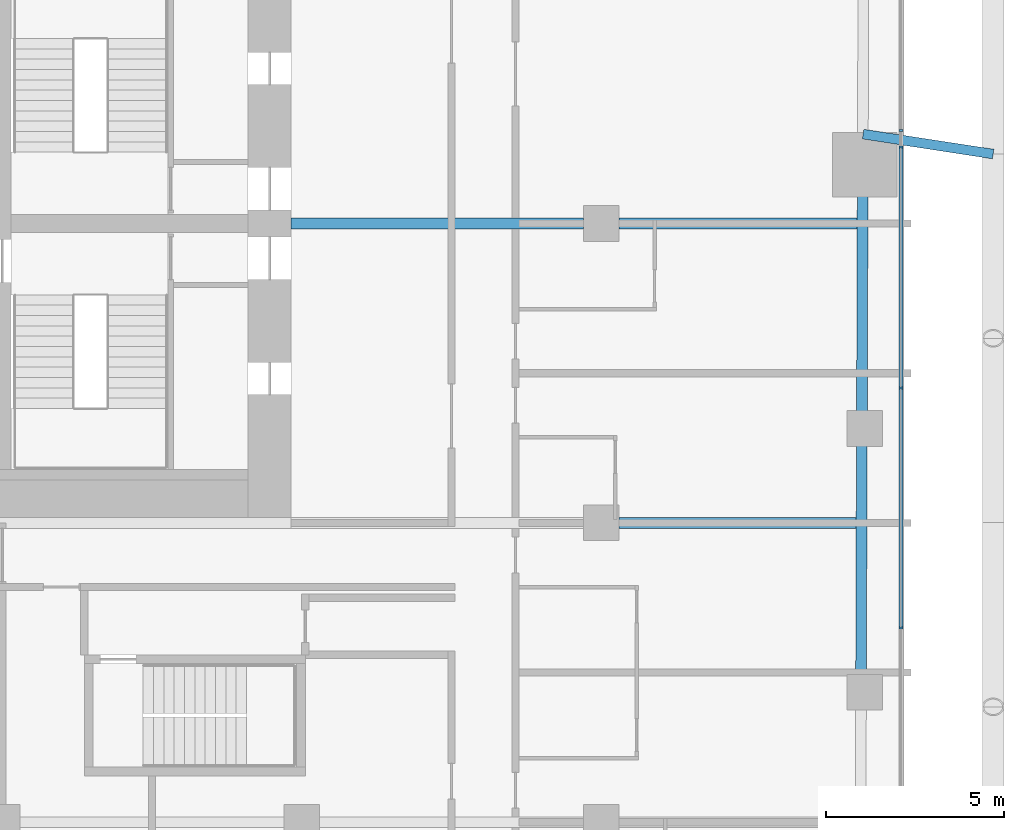
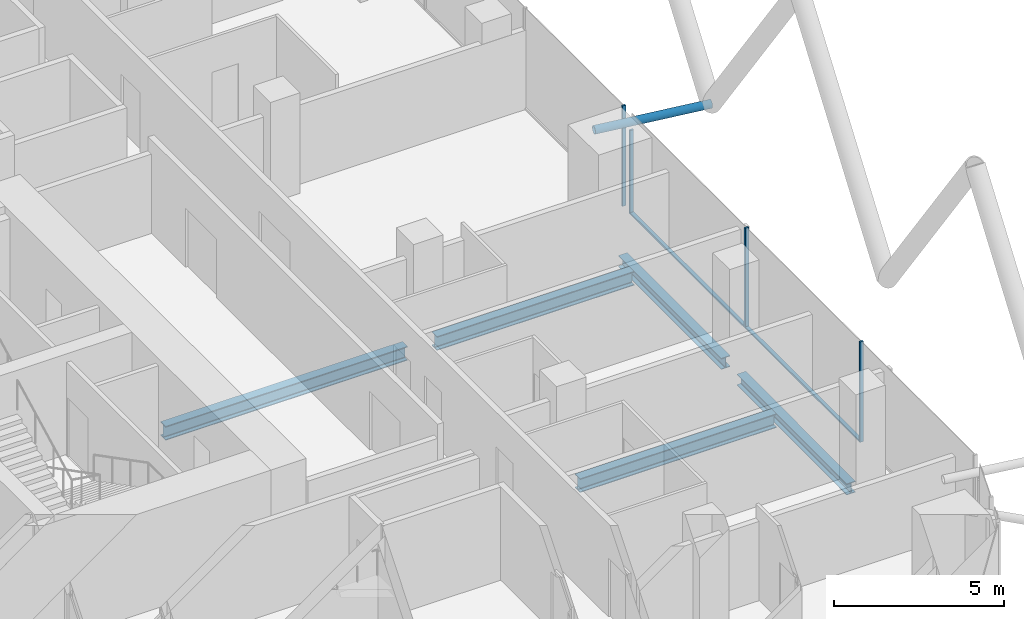
# One storey, part 8 of 38: 7 members, 5 beams, 3 elements without a shape of their own.
"""IFC4 building model written with IfcOpenShell, lengths in metres."""

from ifc_helpers import new_model, si_unit, direction, frame, origin, origin_2d, place, context, subcontext, project, spatial, rectangle, hollow_circle, i_section, extrude, material, layer, layer_set, material_profile, profile_set, type_object, element, aggregate, save


model = new_model("IFC4")

# Units and contexts
model_context = context("Model", 3, precision=1e-05, world=origin(), true_north=direction((0.0, 1.0)))
body_context = subcontext(model_context, "Body", "Model", "MODEL_VIEW")
ifc_project = project(units=[si_unit("LENGTHUNIT", "METRE"), si_unit("AREAUNIT", "SQUARE_METRE"), si_unit("VOLUMEUNIT", "CUBIC_METRE"), si_unit("PLANEANGLEUNIT", "RADIAN"), si_unit("MASSUNIT", "GRAM", prefix="KILO")], contexts=[model_context])

# Site, building, storey
site_placement = place(None, origin())
site = spatial("IfcSite", under=ifc_project, at=site_placement, CompositionType="ELEMENT")
building_placement = place(site_placement, origin())
building = spatial("IfcBuilding", under=site, at=building_placement, Name="Marenta Gate Hotel Tower", CompositionType="ELEMENT")
storey_placement = place(building_placement, frame((0.0, 0.0, 54.5)))
storey = spatial("IfcBuildingStorey", under=building, at=storey_placement, Name="L11", CompositionType="ELEMENT", Elevation=54.5)

# Beams
ifc_material_1 = material(Name="Steel S355", Category="steel")
ifc_material_profile_1 = material_profile(ifc_material_1, i_section(OverallWidth=0.300048828125, OverallDepth=0.39990234375, WebThickness=0.013427734375, FlangeThickness=0.02392578125, FilletRadius=0.027099609375, at=origin_2d()), Name="HEB 400")
ifc_profile_set_1 = profile_set([ifc_material_profile_1], Name="Steel S355")
beam_type_1 = type_object("IfcBeamType", Name="Edge beam HEB 400", PredefinedType="SPANDREL", material=ifc_profile_set_1)
beam_1_placement = place(storey_placement, frame((28.3388671875, 9.18994140625, -0.4599609375), z_axis=(-0.003332378012, -0.999994447613, 0.0), x_axis=(0.999994447613, -0.003332378012, 0.0)))
element("IfcBeam", 1, at=beam_1_placement, inside=storey, type_object=beam_type_1, Name="L11-EB-25", PredefinedType="SPANDREL", context=body_context, shape_type="SweptSolid", body=[
    extrude(i_section(OverallWidth=0.300048828125, OverallDepth=0.39990234375, WebThickness=0.013427734375, FlangeThickness=0.02392578125, FilletRadius=0.027099609375, at=origin_2d()), origin(), (0.0, 0.0, 1.0), 6.080810546875),
])
beam_2_placement = place(storey_placement, frame((28.315673828125, 2.189208984375, -0.4599609375), z_axis=(-0.003352525703, -0.99999438027, 0.0), x_axis=(0.99999438027, -0.003352525703, 0.0)))
element("IfcBeam", 2, at=beam_2_placement, inside=storey, type_object=beam_type_1, Name="L11-EB-26", PredefinedType="SPANDREL", context=body_context, shape_type="SweptSolid", body=[
    extrude(i_section(OverallWidth=0.300048828125, OverallDepth=0.39990234375, WebThickness=0.013427734375, FlangeThickness=0.02392578125, FilletRadius=0.027099609375, at=origin_2d()), origin(), (0.0, 0.0, 1.0), 6.481201171875),
])

# Member
ifc_material_2 = material(Name="Steel S355J2W", Category="steel")
ifc_material_profile_2 = material_profile(ifc_material_2, hollow_circle(Radius=0.136474609375, WallThickness=0.012451171875, at=origin_2d()), Name="CHS 273x12.5")
ifc_profile_set_2 = profile_set([ifc_material_profile_2], Name="Steel S355J2W")
member_type_1 = type_object("IfcMemberType", Name="Floor tie CHS 273x12.5", PredefinedType="STRUT", material=ifc_profile_set_2)
member_1_placement = place(storey_placement, frame((32.0, 10.349853515625, 3.139892578125), z_axis=(-0.988463272711, 0.151460749047, 0.0), x_axis=(-0.151460749047, -0.988463272711, 0.0)))
element("IfcMember", 3, at=member_1_placement, inside=storey, type_object=member_type_1, Name="L11-DR-9", PredefinedType="STRUT", context=body_context, shape_type="SweptSolid", body=[
    extrude(hollow_circle(Radius=0.136474609375, WallThickness=0.012451171875, at=origin_2d()), origin(), (0.0, 0.0, 1.0), 3.691162109375),
])

# Beams
ifc_material_3 = material(Name="Steel S355", Category="steel")
ifc_material_profile_3 = material_profile(ifc_material_3, i_section(OverallWidth=0.300048828125, OverallDepth=0.5, WebThickness=0.014404296875, FlangeThickness=0.028076171875, FilletRadius=0.027099609375, at=origin_2d()), Name="HEB 500")
ifc_profile_set_3 = profile_set([ifc_material_profile_3], Name="Steel S355")
beam_type_2 = type_object("IfcBeamType", Name="Girder HEB 500", PredefinedType="BEAM", material=ifc_profile_set_3)
beam_3_placement = place(storey_placement, frame((21.5, 0.0, -0.510009765625), z_axis=(1.0, 0.0, 0.0), x_axis=(0.0, 1.0, 0.0)))
element("IfcBeam", 4, at=beam_3_placement, inside=storey, type_object=beam_type_2, Name="L11-GD-12", PredefinedType="BEAM", context=body_context, shape_type="SweptSolid", body=[
    extrude(i_section(OverallWidth=0.300048828125, OverallDepth=0.5, WebThickness=0.014404296875, FlangeThickness=0.028076171875, FilletRadius=0.027099609375, at=origin_2d()), origin(), (0.0, 0.0, 1.0), 6.658203125),
])
beam_4_placement = place(storey_placement, frame((12.300048828125, 8.39990234375, -0.510009765625), z_axis=(1.0, 0.0, 0.0), x_axis=(0.0, 1.0, 0.0)))
element("IfcBeam", 5, at=beam_4_placement, inside=storey, type_object=beam_type_2, Name="L11-GD-15", PredefinedType="BEAM", context=body_context, shape_type="SweptSolid", body=[
    extrude(i_section(OverallWidth=0.300048828125, OverallDepth=0.5, WebThickness=0.014404296875, FlangeThickness=0.028076171875, FilletRadius=0.027099609375, at=origin_2d()), origin(), (0.0, 0.0, 1.0), 8.199951171875),
])
beam_5_placement = place(storey_placement, frame((21.5, 8.39990234375, -0.510009765625), z_axis=(1.0, 0.0, 0.0), x_axis=(0.0, 1.0, 0.0)))
element("IfcBeam", 6, at=beam_5_placement, inside=storey, type_object=beam_type_2, Name="L11-GD-16", PredefinedType="BEAM", context=body_context, shape_type="SweptSolid", body=[
    extrude(i_section(OverallWidth=0.300048828125, OverallDepth=0.5, WebThickness=0.014404296875, FlangeThickness=0.028076171875, FilletRadius=0.027099609375, at=origin_2d()), origin(), (0.0, 0.0, 1.0), 6.686279296875),
])

# Curtain wall, members
ifc_material_4 = material(Name="Tinted insulated glass in bronze anodised frame", Category="glass")
ifc_layer = layer(ifc_material_4, 0.1201171875)
ifc_layer_set = layer_set([ifc_layer], Name="Tinted insulated glass in bronze anodised frame")
curtain_wall_type = type_object("IfcCurtainWallType", Name="Tower unitised curtain wall CW1", PredefinedType="NOTDEFINED", material=ifc_layer_set)
curtain_wall_1_placement = place(storey_placement, origin())
curtain_wall_1 = element("IfcCurtainWall", 7, at=curtain_wall_1_placement, inside=storey, type_object=curtain_wall_type, Name="CW1 run G32", PredefinedType="NOTDEFINED")
ifc_material_5 = material(Name="Bronze anodised aluminium", Category="aluminium")
ifc_material_profile_4 = material_profile(ifc_material_5, rectangle(XDim=0.1201171875, YDim=0.06005859375, at=origin_2d()), Name="Mullion CW1 60x120 bronze anodised aluminium")
ifc_profile_set_4 = profile_set([ifc_material_profile_4], Name="Bronze anodised aluminium")
member_type_2 = type_object("IfcMemberType", Name="Mullion CW1 60x120 bronze anodised aluminium", PredefinedType="MULLION", material=ifc_profile_set_4)
member_2_placement = place(storey_placement, frame((29.4140625, -2.9443359375, 0.0), z_axis=(0.0, 0.0, 1.0), x_axis=(-1.0, 0.0, 0.0)))
member_2 = element("IfcMember", 8, at=member_2_placement, type_object=member_type_2, Name="CW1 mullion 2", PredefinedType="MULLION", context=body_context, shape_type="SweptSolid", body=[
    extrude(rectangle(XDim=0.1201171875, YDim=0.06005859375, at=origin_2d()), origin(), (0.0, 0.0, 1.0), 3.60009765625),
])
member_3_placement = place(storey_placement, frame((29.4140625, 3.786376953125, 0.0), z_axis=(0.0, 0.0, 1.0), x_axis=(-1.0, 0.0, 0.0)))
member_3 = element("IfcMember", 9, at=member_3_placement, type_object=member_type_2, Name="CW1 mullion 3", PredefinedType="MULLION", context=body_context, shape_type="SweptSolid", body=[
    extrude(rectangle(XDim=0.1201171875, YDim=0.06005859375, at=origin_2d()), origin(), (0.0, 0.0, 1.0), 3.60009765625),
])

# Curtain wall, member
curtain_wall_2_placement = place(storey_placement, origin())
curtain_wall_2 = element("IfcCurtainWall", 10, at=curtain_wall_2_placement, inside=storey, type_object=curtain_wall_type, Name="CW1 run G33", PredefinedType="NOTDEFINED")
member_4_placement = place(storey_placement, frame((29.4140625, 10.547119140625, 0.0), z_axis=(0.0, 0.0, 1.0), x_axis=(-1.0, 0.0, 0.0)))
member_4 = element("IfcMember", 11, at=member_4_placement, type_object=member_type_2, Name="CW1 mullion 1", PredefinedType="MULLION", context=body_context, shape_type="SweptSolid", body=[
    extrude(rectangle(XDim=0.1201171875, YDim=0.06005859375, at=origin_2d()), origin(), (0.0, 0.0, 1.0), 3.00048828125),
])
aggregate(curtain_wall_2, [member_4])

curtain_wall_3_placement = place(storey_placement, origin())
curtain_wall_3 = element("IfcCurtainWall", 12, at=curtain_wall_3_placement, inside=storey, type_object=curtain_wall_type, Name="CW1 run G34", PredefinedType="NOTDEFINED")
member_5_placement = place(storey_placement, frame((29.4140625, 11.00537109375, 0.0), z_axis=(0.0, 0.0, 1.0), x_axis=(-1.0, 0.0, 0.0)))
member_5 = element("IfcMember", 13, at=member_5_placement, type_object=member_type_2, Name="CW1 mullion 1", PredefinedType="MULLION", context=body_context, shape_type="SweptSolid", body=[
    extrude(rectangle(XDim=0.1201171875, YDim=0.06005859375, at=origin_2d()), origin(), (0.0, 0.0, 1.0), 3.60009765625),
])
aggregate(curtain_wall_3, [member_5])

# Member
ifc_material_6 = material(Name="Bronze anodised aluminium", Category="aluminium")
ifc_material_profile_5 = material_profile(ifc_material_6, rectangle(XDim=0.1201171875, YDim=0.06005859375, at=origin_2d()), Name="Transom CW1 60x120 bronze anodised aluminium")
ifc_profile_set_5 = profile_set([ifc_material_profile_5], Name="Bronze anodised aluminium")
member_type_3 = type_object("IfcMemberType", Name="Transom CW1 60x120 bronze anodised aluminium", PredefinedType="USERDEFINED", material=ifc_profile_set_5)
member_6_placement = place(storey_placement, frame((29.4140625, -2.914306640625, 0.030029296875), z_axis=(0.0, 1.0, 0.0), x_axis=(-1.0, 0.0, 0.0)))
member_6 = element("IfcMember", 14, at=member_6_placement, type_object=member_type_3, Name="CW1 transom 2.1", ObjectType="TRANSOM", PredefinedType="USERDEFINED", context=body_context, shape_type="SweptSolid", body=[
    extrude(rectangle(XDim=0.1201171875, YDim=0.06005859375, at=origin_2d()), origin(), (0.0, 0.0, 1.0), 6.670654296875),
])

member_7_placement = place(storey_placement, frame((29.4140625, 3.81640625, 0.030029296875), z_axis=(0.0, 1.0, 0.0), x_axis=(-1.0, 0.0, 0.0)))
member_7 = element("IfcMember", 15, at=member_7_placement, type_object=member_type_3, Name="CW1 transom 3.1", ObjectType="TRANSOM", PredefinedType="USERDEFINED", context=body_context, shape_type="SweptSolid", body=[
    extrude(rectangle(XDim=0.1201171875, YDim=0.06005859375, at=origin_2d()), origin(), (0.0, 0.0, 1.0), 6.70068359375),
])

aggregate(curtain_wall_1, [member_2, member_3, member_6, member_7])

save(model, "model.ifc")
